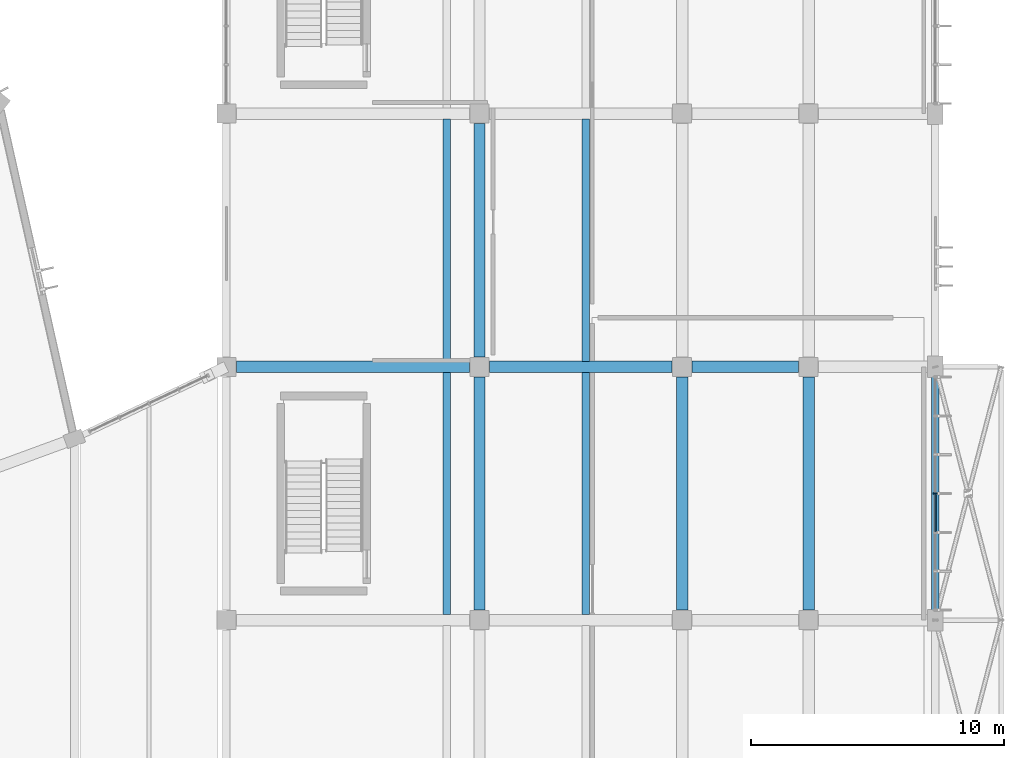
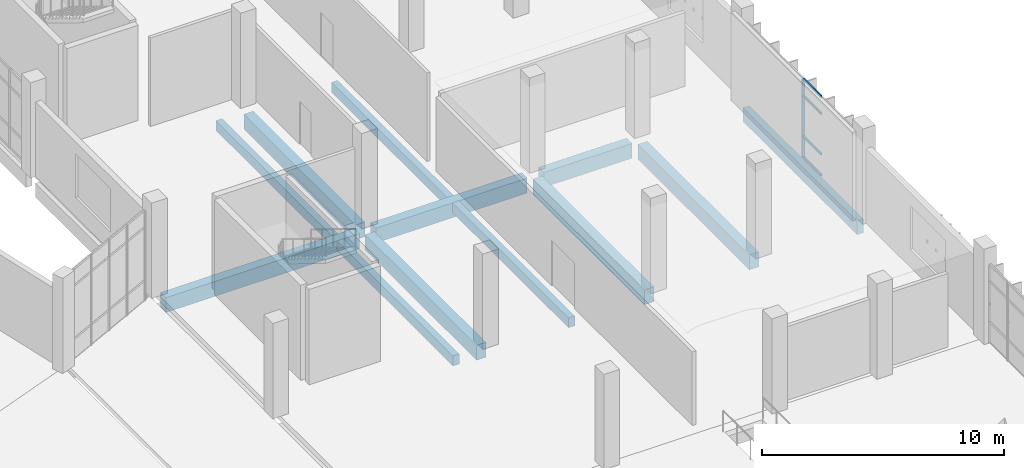
# One storey, part 74 of 179: 12 beams, 5 members, 1 element without a shape of its own.
"""IFC4 building model written with IfcOpenShell, lengths in metres."""

from ifc_helpers import new_model, si_unit, direction, frame, origin, origin_2d, place, context, subcontext, project, spatial, rectangle, extrude, material, layer, layer_set, material_profile, profile_set, type_object, element, aggregate, save


model = new_model("IFC4")

# Units and contexts
model_context = context("Model", 3, precision=1e-05, world=origin(), true_north=direction((0.0, 1.0)))
body_context = subcontext(model_context, "Body", "Model", "MODEL_VIEW")
ifc_project = project(units=[si_unit("LENGTHUNIT", "METRE"), si_unit("AREAUNIT", "SQUARE_METRE"), si_unit("VOLUMEUNIT", "CUBIC_METRE"), si_unit("PLANEANGLEUNIT", "RADIAN"), si_unit("MASSUNIT", "GRAM", prefix="KILO")], contexts=[model_context])

# Site, building, storey
site_placement = place(None, origin())
site = spatial("IfcSite", under=ifc_project, at=site_placement, CompositionType="ELEMENT")
building_placement = place(site_placement, origin())
building = spatial("IfcBuilding", under=site, at=building_placement, Name="Corvandel Quay Wholesale Market", CompositionType="ELEMENT")
storey_placement = place(building_placement, frame((0.0, 0.0, 6.0)))
storey = spatial("IfcBuildingStorey", under=building, at=storey_placement, Name="L01", CompositionType="ELEMENT", Elevation=6.0)

# Curtain wall, members
ifc_material_1 = material(Name="Bronze anodised aluminium and low-E insulated glazing", Category="aluminium")
ifc_layer = layer(ifc_material_1, 0.18603515625)
ifc_layer_set = layer_set([ifc_layer], Name="Bronze anodised aluminium and low-E insulated glazing")
curtain_wall_type = type_object("IfcCurtainWallType", Name="Stick Curtain Wall System CW18 H4620", PredefinedType="NOTDEFINED", material=ifc_layer_set)
curtain_wall_placement = place(storey_placement, origin())
curtain_wall = element("IfcCurtainWall", 1, at=curtain_wall_placement, inside=storey, type_object=curtain_wall_type, Name="Curtain Wall CW-0153", PredefinedType="NOTDEFINED")
ifc_material_2 = material(Name="Anodised aluminium 6063-T6", Category="aluminium")
ifc_material_profile_1 = material_profile(ifc_material_2, rectangle(XDim=0.06494140625, YDim=0.14990234375, at=origin_2d()), Name="ALU-MUL-65x150")
ifc_profile_set_1 = profile_set([ifc_material_profile_1], Name="Anodised aluminium 6063-T6")
member_type_1 = type_object("IfcMemberType", Name="Curtain Wall Mullion ML02 65x150", PredefinedType="MULLION", material=ifc_profile_set_1)
member_1_placement = place(storey_placement, frame((248.0, 65.0, 0.0), z_axis=(0.0, 0.0, 1.0), x_axis=(0.0, 1.0, 0.0)))
member_1 = element("IfcMember", 2, at=member_1_placement, type_object=member_type_1, Name="Mullion CW-0153-M03", PredefinedType="MULLION", context=body_context, shape_type="SweptSolid", body=[
    extrude(rectangle(XDim=0.06494140625, YDim=0.14990234375, at=origin_2d()), origin(), (0.0, 0.0, 1.0), 3.949951171875),
])
ifc_material_profile_2 = material_profile(ifc_material_2, rectangle(XDim=0.06005859375, YDim=0.110107421875, at=origin_2d()), Name="ALU-TRN-60x110")
ifc_profile_set_2 = profile_set([ifc_material_profile_2], Name="Anodised aluminium 6063-T6")
member_type_2 = type_object("IfcMemberType", Name="Curtain Wall Transom TR02 60x110", PredefinedType="USERDEFINED", material=ifc_profile_set_2)
member_2_placement = place(storey_placement, frame((248.0, 63.499267578125, 0.0), z_axis=(0.0, 1.0, 0.0), x_axis=(-1.0, 0.0, 0.0)))
member_2 = element("IfcMember", 3, at=member_2_placement, type_object=member_type_2, Name="Transom CW-0153-T02-0", ObjectType="TRANSOM", PredefinedType="USERDEFINED", context=body_context, shape_type="SweptSolid", body=[
    extrude(rectangle(XDim=0.06005859375, YDim=0.110107421875, at=origin_2d()), origin(), (0.0, 0.0, 1.0), 1.46826171875),
])
member_3_placement = place(storey_placement, frame((248.0, 63.499267578125, 1.050048828125), z_axis=(0.0, 1.0, 0.0), x_axis=(-1.0, 0.0, 0.0)))
member_3 = element("IfcMember", 4, at=member_3_placement, type_object=member_type_2, Name="Transom CW-0153-T02-1", ObjectType="TRANSOM", PredefinedType="USERDEFINED", context=body_context, shape_type="SweptSolid", body=[
    extrude(rectangle(XDim=0.06005859375, YDim=0.110107421875, at=origin_2d()), origin(), (0.0, 0.0, 1.0), 1.46826171875),
])
member_4_placement = place(storey_placement, frame((248.0, 63.499267578125, 3.10009765625), z_axis=(0.0, 1.0, 0.0), x_axis=(-1.0, 0.0, 0.0)))
member_4 = element("IfcMember", 5, at=member_4_placement, type_object=member_type_2, Name="Transom CW-0153-T02-2", ObjectType="TRANSOM", PredefinedType="USERDEFINED", context=body_context, shape_type="SweptSolid", body=[
    extrude(rectangle(XDim=0.06005859375, YDim=0.110107421875, at=origin_2d()), origin(), (0.0, 0.0, 1.0), 1.46826171875),
])
member_5_placement = place(storey_placement, frame((248.0, 63.499267578125, 3.949951171875), z_axis=(0.0, 1.0, 0.0), x_axis=(-1.0, 0.0, 0.0)))
member_5 = element("IfcMember", 6, at=member_5_placement, type_object=member_type_2, Name="Transom CW-0153-T02-3", ObjectType="TRANSOM", PredefinedType="USERDEFINED", context=body_context, shape_type="SweptSolid", body=[
    extrude(rectangle(XDim=0.06005859375, YDim=0.110107421875, at=origin_2d()), origin(), (0.0, 0.0, 1.0), 1.46826171875),
])
aggregate(curtain_wall, [member_1, member_2, member_3, member_4, member_5])

# Beams
ifc_material_3 = material(Name="Precast concrete C45/55", Category="concrete")
ifc_material_profile_3 = material_profile(ifc_material_3, rectangle(XDim=0.300048828125, YDim=0.5, at=origin_2d()), Name="PC-BM-300x500")
ifc_profile_set_3 = profile_set([ifc_material_profile_3], Name="Precast concrete C45/55")
beam_type_1 = type_object("IfcBeamType", Name="Office Floor Secondary Beam B04 300x500", PredefinedType="BEAM", material=ifc_profile_set_3)
for number, where, z_axis, x_axis, name in (
    (7, (228.699951171875, 60.215087890625, -0.570068359375), (0.0, 1.0, 0.0), (-1.0, 0.0, 0.0), "Beam BM-1499"),
    (8, (234.199951171875, 60.215087890625, -0.570068359375), (0.0, 1.0, 0.0), (-1.0, 0.0, 0.0), "Beam BM-1500"),
    (9, (228.699951171875, 70.215087890625, -0.570068359375), (0.0, 1.0, 0.0), (-1.0, 0.0, 0.0), "Beam BM-1501"),
    (10, (234.199951171875, 70.215087890625, -0.570068359375), (0.0, 1.0, 0.0), (-1.0, 0.0, 0.0), "Beam BM-1502"),
):
    element("IfcBeam", number, at=place(storey_placement, frame(where, z_axis=z_axis, x_axis=x_axis)), inside=storey, type_object=beam_type_1, Name=name, PredefinedType="BEAM", context=body_context, shape_type="SweptSolid", body=[
        extrude(rectangle(XDim=0.300048828125, YDim=0.5, at=origin_2d()), origin(), (0.0, 0.0, 1.0), 9.56982421875),
    ])
ifc_material_profile_4 = material_profile(ifc_material_3, rectangle(XDim=0.300048828125, YDim=0.699951171875, at=origin_2d()), Name="PC-SPN-300x700")
ifc_profile_set_4 = profile_set([ifc_material_profile_4], Name="Precast concrete C45/55")
beam_type_2 = type_object("IfcBeamType", Name="Terrace Edge Spandrel SP03 300x700", PredefinedType="SPANDREL", material=ifc_profile_set_4)
beam_1_placement = place(storey_placement, frame((248.0, 60.294921875, -0.669921875), z_axis=(0.0, 1.0, 0.0), x_axis=(-1.0, 0.0, 0.0)))
element("IfcBeam", 11, at=beam_1_placement, inside=storey, type_object=beam_type_2, Name="Beam BM-1484", PredefinedType="SPANDREL", context=body_context, shape_type="SweptSolid", body=[
    extrude(rectangle(XDim=0.300048828125, YDim=0.699951171875, at=origin_2d()), origin(), (0.0, 0.0, 1.0), 9.41015625),
])
ifc_material_profile_5 = material_profile(ifc_material_3, rectangle(XDim=0.449951171875, YDim=0.75, at=origin_2d()), Name="PC-GIR-450x750")
ifc_profile_set_5 = profile_set([ifc_material_profile_5], Name="Precast concrete C45/55")
beam_type_3 = type_object("IfcBeamType", Name="Waterfront Office Girder G06 450x750", PredefinedType="USERDEFINED", material=ifc_profile_set_5)
beam_2_placement = place(storey_placement, frame((220.39501953125, 70.0, -0.695068359375), z_axis=(1.0, 0.0, 0.0), x_axis=(0.0, 1.0, 0.0)))
element("IfcBeam", 12, at=beam_2_placement, inside=storey, type_object=beam_type_3, Name="Beam BM-1419", ObjectType="GIRDER", PredefinedType="USERDEFINED", context=body_context, shape_type="SweptSolid", body=[
    extrude(rectangle(XDim=0.449951171875, YDim=0.75, at=origin_2d()), origin(), (0.0, 0.0, 1.0), 9.2099609375),
])
beam_3_placement = place(storey_placement, frame((230.39501953125, 70.0, -0.695068359375), z_axis=(1.0, 0.0, 0.0), x_axis=(0.0, 1.0, 0.0)))
element("IfcBeam", 13, at=beam_3_placement, inside=storey, type_object=beam_type_3, Name="Beam BM-1420", ObjectType="GIRDER", PredefinedType="USERDEFINED", context=body_context, shape_type="SweptSolid", body=[
    extrude(rectangle(XDim=0.449951171875, YDim=0.75, at=origin_2d()), origin(), (0.0, 0.0, 1.0), 7.2099609375),
])
beam_4_placement = place(storey_placement, frame((238.39501953125, 70.0, -0.695068359375), z_axis=(1.0, 0.0, 0.0), x_axis=(0.0, 1.0, 0.0)))
element("IfcBeam", 14, at=beam_4_placement, inside=storey, type_object=beam_type_3, Name="Beam BM-1421", ObjectType="GIRDER", PredefinedType="USERDEFINED", context=body_context, shape_type="SweptSolid", body=[
    extrude(rectangle(XDim=0.449951171875, YDim=0.75, at=origin_2d()), origin(), (0.0, 0.0, 1.0), 4.2099609375),
])
for number, where, z_axis, x_axis, name in (
    (15, (230.0, 60.39501953125, -0.695068359375), (0.0, 1.0, 0.0), (-1.0, 0.0, 0.0), "Beam BM-1454"),
    (16, (230.0, 70.39501953125, -0.695068359375), (0.0, 1.0, 0.0), (-1.0, 0.0, 0.0), "Beam BM-1455"),
    (17, (238.0, 60.39501953125, -0.695068359375), (0.0, 1.0, 0.0), (-1.0, 0.0, 0.0), "Beam BM-1464"),
    (18, (243.0, 60.39501953125, -0.695068359375), (0.0, 1.0, 0.0), (-1.0, 0.0, 0.0), "Beam BM-1474"),
):
    element("IfcBeam", number, at=place(storey_placement, frame(where, z_axis=z_axis, x_axis=x_axis)), inside=storey, type_object=beam_type_3, Name=name, ObjectType="GIRDER", PredefinedType="USERDEFINED", context=body_context, shape_type="SweptSolid", body=[
        extrude(rectangle(XDim=0.449951171875, YDim=0.75, at=origin_2d()), origin(), (0.0, 0.0, 1.0), 9.2099609375),
    ])

save(model, "model.ifc")
